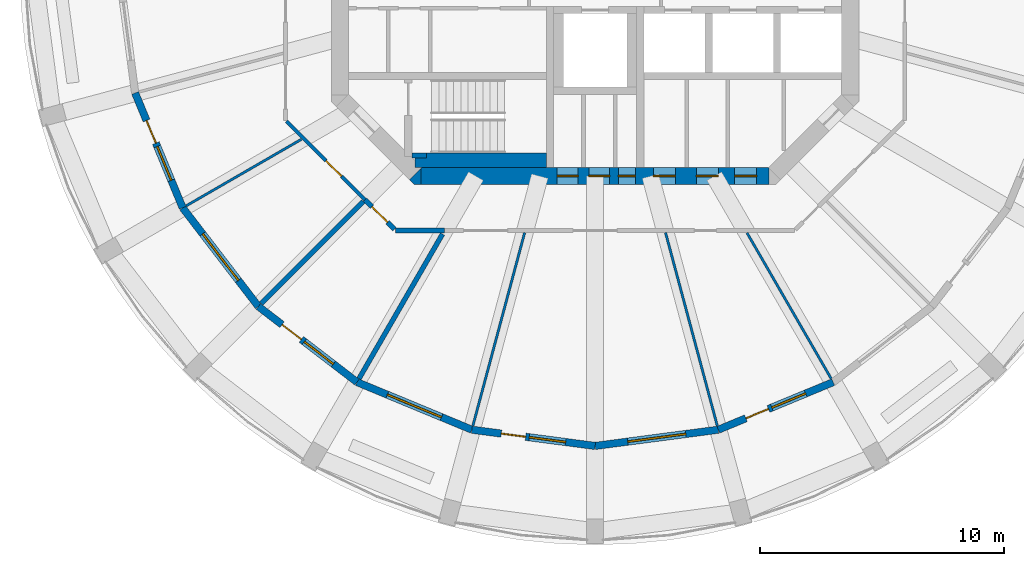
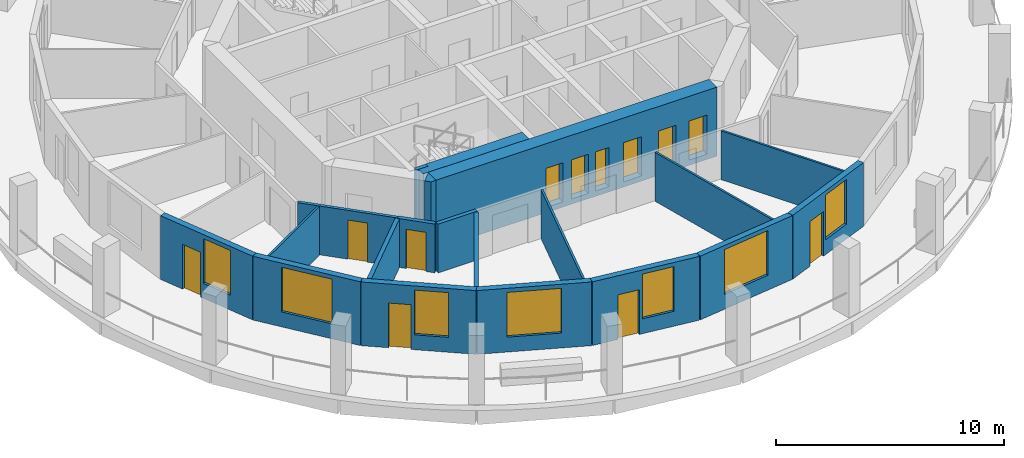
# One storey, part 2 of 9: 20 walls, 12 doors, 7 windows, 19 openings.
"""IFC4 building model written with IfcOpenShell, lengths in metres."""

from ifc_helpers import new_model, si_unit, direction, frame, frame_2d, origin, place, context, subcontext, project, spatial, polyline, rectangle, outline, extrude, material, layer, layer_set, type_object, element, fill, save


model = new_model("IFC4")

# Units and contexts
model_context = context("Model", 3, precision=1e-05, world=origin(), true_north=direction((0.0, 1.0)))
body_context = subcontext(model_context, "Body", "Model", "MODEL_VIEW")
ifc_project = project(units=[si_unit("LENGTHUNIT", "METRE"), si_unit("AREAUNIT", "SQUARE_METRE"), si_unit("VOLUMEUNIT", "CUBIC_METRE"), si_unit("PLANEANGLEUNIT", "RADIAN"), si_unit("MASSUNIT", "GRAM", prefix="KILO")], contexts=[model_context])

# Site, building, storey
site_placement = place(None, origin())
site = spatial("IfcSite", under=ifc_project, at=site_placement, CompositionType="ELEMENT")
building_placement = place(site_placement, origin())
building = spatial("IfcBuilding", under=site, at=building_placement, Name="Torre Triforio", CompositionType="ELEMENT")
storey_placement = place(building_placement, frame((0.0, 0.0, 211.300048828125)))
storey = spatial("IfcBuildingStorey", under=building, at=storey_placement, Name="L48", CompositionType="ELEMENT", Elevation=211.300048828125)

# Wall, openings, doors
ifc_material_1 = material(Name="Concrete C50", Category="concrete")
ifc_layer_1 = layer(ifc_material_1, 0.699951171875)
ifc_layer_set_1 = layer_set([ifc_layer_1], Name="Concrete C50")
wall_type_1 = type_object("IfcWallType", Name="Core wall 700 mm C50 EI 120", PredefinedType="SHEAR", material=ifc_layer_set_1)
wall_1_placement = place(storey_placement, frame((-7.1298828125, -8.449951171875, -0.280029296875), z_axis=(0.0, 0.0, 1.0), x_axis=(1.0, 0.0, 0.0)))
wall_1 = element("IfcWall", 1, at=wall_1_placement, inside=storey, type_object=wall_type_1, Name="Core wall", PredefinedType="SHEAR", context=body_context, shape_type="SweptSolid", body=[
    extrude(rectangle(XDim=14.259765625, YDim=0.699951171875, at=frame_2d((7.1298828125, 0.0))), origin(), (0.0, 0.0, 1.0), 3.699951171875),
])
opening_1_placement = place(wall_1_placement, frame((8.080078125, 0.0, 0.280029296875)))
opening_1 = element("IfcOpeningElement", 2, at=opening_1_placement, cuts=wall_1, Name="Opening RISER-S", PredefinedType="OPENING", context=body_context, shape_type="SweptSolid", body=[
    extrude(rectangle(XDim=0.699951171875, YDim=2.10009765625, at=frame_2d((0.35009765625, 1.050048828125))), frame((0.0, 0.35986328125, 0.0), z_axis=(0.0, -1.0, 0.0), x_axis=(1.0, 0.0, 0.0)), (0.0, 0.0, 1.0), 0.719970703125),
])
opening_2_placement = place(wall_1_placement, frame((5.580078125, 0.0, 0.280029296875)))
opening_2 = element("IfcOpeningElement", 3, at=opening_2_placement, cuts=wall_1, Name="Opening SW-01A", PredefinedType="OPENING", context=body_context, shape_type="SweptSolid", body=[
    extrude(rectangle(XDim=0.85009765625, YDim=2.10009765625, at=frame_2d((0.425048828125, 1.050048828125))), frame((0.0, 0.35986328125, 0.0), z_axis=(0.0, -1.0, 0.0), x_axis=(1.0, 0.0, 0.0)), (0.0, 0.0, 1.0), 0.719970703125),
])
opening_3_placement = place(wall_1_placement, frame((6.8798828125, 0.0, 0.280029296875)))
opening_3 = element("IfcOpeningElement", 4, at=opening_3_placement, cuts=wall_1, Name="Opening SW-02", PredefinedType="OPENING", context=body_context, shape_type="SweptSolid", body=[
    extrude(rectangle(XDim=0.85009765625, YDim=2.10009765625, at=frame_2d((0.425048828125, 1.050048828125))), frame((0.0, 0.35986328125, 0.0), z_axis=(0.0, -1.0, 0.0), x_axis=(1.0, 0.0, 0.0)), (0.0, 0.0, 1.0), 0.719970703125),
])
opening_4_placement = place(wall_1_placement, frame((9.521484375, 0.0, 0.280029296875)))
opening_4 = element("IfcOpeningElement", 5, at=opening_4_placement, cuts=wall_1, Name="Opening SE-01", PredefinedType="OPENING", context=body_context, shape_type="SweptSolid", body=[
    extrude(rectangle(XDim=0.89990234375, YDim=2.10009765625, at=frame_2d((0.449951171875, 1.050048828125))), frame((0.0, 0.35986328125, 0.0), z_axis=(0.0, -1.0, 0.0), x_axis=(1.0, 0.0, 0.0)), (0.0, 0.0, 1.0), 0.719970703125),
])
opening_5_placement = place(wall_1_placement, frame((11.278076171875, 0.0, 0.280029296875)))
opening_5 = element("IfcOpeningElement", 6, at=opening_5_placement, cuts=wall_1, Name="Opening SE-02", PredefinedType="OPENING", context=body_context, shape_type="SweptSolid", body=[
    extrude(rectangle(XDim=0.89990234375, YDim=2.10009765625, at=frame_2d((0.449951171875, 1.050048828125))), frame((0.0, 0.35986328125, 0.0), z_axis=(0.0, -1.0, 0.0), x_axis=(1.0, 0.0, 0.0)), (0.0, 0.0, 1.0), 0.719970703125),
])
opening_6_placement = place(wall_1_placement, frame((12.840087890625, 0.0, 0.280029296875)))
opening_6 = element("IfcOpeningElement", 7, at=opening_6_placement, cuts=wall_1, Name="Opening SE-03", PredefinedType="OPENING", context=body_context, shape_type="SweptSolid", body=[
    extrude(rectangle(XDim=0.89990234375, YDim=2.10009765625, at=frame_2d((0.449951171875, 1.050048828125))), frame((0.0, 0.35986328125, 0.0), z_axis=(0.0, -1.0, 0.0), x_axis=(1.0, 0.0, 0.0)), (0.0, 0.0, 1.0), 0.719970703125),
])
ifc_material_2 = material(Name="Hollow metal fire door leaf")
door_type_1 = type_object("IfcDoorType", Name="Plant room door 900 x 2100 EI 60", OperationType="NOTDEFINED", PredefinedType="DOOR", material=ifc_material_2)
door_1_placement = place(opening_4_placement, origin())
door_1 = element("IfcDoor", 8, at=door_1_placement, inside=storey, type_object=door_type_1, Name="Core door SE-01", OperationType="SINGLE_SWING_LEFT", OverallHeight=2.10009765625, OverallWidth=0.89990234375, PredefinedType="DOOR", context=body_context, shape_type="SweptSolid", body=[
    extrude(rectangle(XDim=0.89990234375, YDim=2.10009765625, at=frame_2d((0.449951171875, 1.050048828125))), frame((0.0, 0.02490234375, 0.0), z_axis=(0.0, -1.0, 0.0), x_axis=(1.0, 0.0, 0.0)), (0.0, 0.0, 1.0), 0.050048828125),
])
fill(opening_4, door_1)
door_type_2 = type_object("IfcDoorType", Name="Riser door 700 x 2100 EI 60", OperationType="NOTDEFINED", PredefinedType="DOOR", material=ifc_material_2)
door_2_placement = place(opening_1_placement, origin())
door_2 = element("IfcDoor", 9, at=door_2_placement, inside=storey, type_object=door_type_2, Name="Core door RISER-S", OperationType="SINGLE_SWING_RIGHT", OverallHeight=2.10009765625, OverallWidth=0.699951171875, PredefinedType="DOOR", context=body_context, shape_type="SweptSolid", body=[
    extrude(rectangle(XDim=0.699951171875, YDim=2.10009765625, at=frame_2d((0.35009765625, 1.050048828125))), frame((0.0, 0.02490234375, 0.0), z_axis=(0.0, -1.0, 0.0), x_axis=(1.0, 0.0, 0.0)), (0.0, 0.0, 1.0), 0.050048828125),
])
fill(opening_1, door_2)
door_type_3 = type_object("IfcDoorType", Name="Room door 850 x 2100 EI 60", OperationType="NOTDEFINED", PredefinedType="DOOR", material=ifc_material_2)
door_3_placement = place(opening_2_placement, origin())
door_3 = element("IfcDoor", 10, at=door_3_placement, inside=storey, type_object=door_type_3, Name="Core door SW-01", OperationType="SINGLE_SWING_RIGHT", OverallHeight=2.10009765625, OverallWidth=0.85009765625, PredefinedType="DOOR", context=body_context, shape_type="SweptSolid", body=[
    extrude(rectangle(XDim=0.85009765625, YDim=2.10009765625, at=frame_2d((0.425048828125, 1.050048828125))), frame((0.0, 0.02490234375, 0.0), z_axis=(0.0, -1.0, 0.0), x_axis=(1.0, 0.0, 0.0)), (0.0, 0.0, 1.0), 0.050048828125),
])
fill(opening_2, door_3)
door_4_placement = place(opening_3_placement, origin())
door_4 = element("IfcDoor", 11, at=door_4_placement, inside=storey, type_object=door_type_3, Name="Core door SW-02", OperationType="SINGLE_SWING_LEFT", OverallHeight=2.10009765625, OverallWidth=0.85009765625, PredefinedType="DOOR", context=body_context, shape_type="SweptSolid", body=[
    extrude(rectangle(XDim=0.85009765625, YDim=2.10009765625, at=frame_2d((0.425048828125, 1.050048828125))), frame((0.0, 0.02490234375, 0.0), z_axis=(0.0, -1.0, 0.0), x_axis=(1.0, 0.0, 0.0)), (0.0, 0.0, 1.0), 0.050048828125),
])
fill(opening_3, door_4)
door_type_4 = type_object("IfcDoorType", Name="Room door 900 x 2100 EI 60", OperationType="NOTDEFINED", PredefinedType="DOOR", material=ifc_material_2)
door_5_placement = place(opening_5_placement, origin())
door_5 = element("IfcDoor", 12, at=door_5_placement, inside=storey, type_object=door_type_4, Name="Core door SE-02", OperationType="SINGLE_SWING_LEFT", OverallHeight=2.10009765625, OverallWidth=0.89990234375, PredefinedType="DOOR", context=body_context, shape_type="SweptSolid", body=[
    extrude(rectangle(XDim=0.89990234375, YDim=2.10009765625, at=frame_2d((0.449951171875, 1.050048828125))), frame((0.0, 0.02490234375, 0.0), z_axis=(0.0, -1.0, 0.0), x_axis=(1.0, 0.0, 0.0)), (0.0, 0.0, 1.0), 0.050048828125),
])
fill(opening_5, door_5)
door_6_placement = place(opening_6_placement, origin())
door_6 = element("IfcDoor", 13, at=door_6_placement, inside=storey, type_object=door_type_4, Name="Core door SE-03", OperationType="SINGLE_SWING_LEFT", OverallHeight=2.10009765625, OverallWidth=0.89990234375, PredefinedType="DOOR", context=body_context, shape_type="SweptSolid", body=[
    extrude(rectangle(XDim=0.89990234375, YDim=2.10009765625, at=frame_2d((0.449951171875, 1.050048828125))), frame((0.0, 0.02490234375, 0.0), z_axis=(0.0, -1.0, 0.0), x_axis=(1.0, 0.0, 0.0)), (0.0, 0.0, 1.0), 0.050048828125),
])
fill(opening_6, door_6)

# Wall
wall_2_placement = place(storey_placement, frame((0.0, 0.0, -0.280029296875)))
element("IfcWall", 14, at=wall_2_placement, inside=storey, type_object=wall_type_1, Name="Core wall", PredefinedType="SHEAR", context=body_context, shape_type="SweptSolid", body=[
    extrude(outline(polyline([(-7.389892578125, -8.800048828125), (-7.594970703125, -8.594970703125), (-7.594970703125, -8.594970703125), (-7.594970703125, -8.594970703125), (-7.1298828125, -8.1298828125), (-7.1298828125, -8.800048828125), (-7.1298828125, -8.800048828125), (-7.389892578125, -8.800048828125)])), origin(), (0.0, 0.0, 1.0), 3.699951171875),
])

# Wall, opening, door
ifc_material_3 = material(Name="Plasterboard on metal studs")
ifc_layer_2 = layer(ifc_material_3, 0.14990234375)
ifc_layer_set_2 = layer_set([ifc_layer_2], Name="Plasterboard on metal studs")
wall_type_2 = type_object("IfcWallType", Name="Corridor and tenancy wall 150 mm EI 60", PredefinedType="PARTITIONING", material=ifc_layer_set_2)
wall_3_placement = place(storey_placement, frame((-9.4208984375, -9.4208984375, 0.0), z_axis=(0.0, 0.0, 1.0), x_axis=(-0.707079950597, 0.707133610758, 0.0)))
wall_3 = element("IfcWall", 15, at=wall_3_placement, inside=storey, type_object=wall_type_2, Name="Partition 5", PredefinedType="PARTITIONING", context=body_context, shape_type="SweptSolid", body=[
    extrude(rectangle(XDim=4.5498046875, YDim=0.14990234375, at=frame_2d((2.27490234375, 0.0))), origin(), (0.0, 0.0, 1.0), 2.619873046875),
])
opening_7_placement = place(wall_3_placement, frame((1.36083984375, 0.0, 0.0)))
opening_7 = element("IfcOpeningElement", 16, at=opening_7_placement, cuts=wall_3, Name="Opening O6-15", PredefinedType="OPENING", context=body_context, shape_type="SweptSolid", body=[
    extrude(rectangle(XDim=0.89990234375, YDim=2.10009765625, at=frame_2d((0.449951171875, 1.050048828125))), frame((0.0, 0.0849609375, 0.0), z_axis=(0.0, -1.0, 0.0), x_axis=(1.0, 0.0, 0.0)), (0.0, 0.0, 1.0), 0.169921875),
])
ifc_material_4 = material(Name="Timber", Category="wood")
door_type_5 = type_object("IfcDoorType", Name="Door 900 x 2100 single leaf EI 30", OperationType="NOTDEFINED", PredefinedType="DOOR", material=ifc_material_4)
door_7_placement = place(opening_7_placement, origin())
door_7 = element("IfcDoor", 17, at=door_7_placement, inside=storey, type_object=door_type_5, Name="Door O6-15", OperationType="SINGLE_SWING_LEFT", OverallHeight=2.10009765625, OverallWidth=0.89990234375, PredefinedType="DOOR", context=body_context, shape_type="SweptSolid", body=[
    extrude(rectangle(XDim=0.89990234375, YDim=2.10009765625, at=frame_2d((0.449951171875, 1.050048828125))), frame((0.0, 0.02490234375, 0.0), z_axis=(0.0, -1.0, 0.0), x_axis=(1.0, 0.0, 0.0)), (0.0, 0.0, 1.0), 0.050048828125),
])
fill(opening_7, door_7)

# Walls
ifc_layer_3 = layer(ifc_material_3, 0.10009765625)
ifc_layer_set_3 = layer_set([ifc_layer_3], Name="Plasterboard on metal studs")
wall_type_3 = type_object("IfcWallType", Name="Partition 100 mm board on metal studs", PredefinedType="PARTITIONING", material=ifc_layer_set_3)
wall_4_placement = place(storey_placement, frame((-12.025146484375, -6.94287109375, 0.0), z_axis=(0.0, 0.0, 1.0), x_axis=(-0.866029712004, -0.499992537871, 0.0)))
element("IfcWall", 18, at=wall_4_placement, inside=storey, type_object=wall_type_3, Name="Partition 20", PredefinedType="PARTITIONING", context=body_context, shape_type="SweptSolid", body=[
    extrude(rectangle(XDim=5.451171875, YDim=0.10009765625, at=frame_2d((2.7255859375, 0.0))), origin(), (0.0, 0.0, 1.0), 2.619873046875),
])
for number, where, z_axis, x_axis, name in (
    (19, (-2.88427734375, -10.764404296875, 0.0), (0.0, 0.0, 1.0), (-0.258818011497, -0.965926103242, 0.0), "Partition 23"),
    (20, (2.88427734375, -10.764404296875, 0.0), (0.0, 0.0, 1.0), (0.258818011497, -0.965926103242, 0.0), "Partition 24"),
):
    element("IfcWall", number, at=place(storey_placement, frame(where, z_axis=z_axis, x_axis=x_axis)), inside=storey, type_object=wall_type_3, Name=name, PredefinedType="PARTITIONING", context=body_context, shape_type="SweptSolid", body=[
        extrude(rectangle(XDim=8.1923828125, YDim=0.10009765625, at=frame_2d((4.09619140625, 0.0))), origin(), (0.0, 0.0, 1.0), 2.619873046875),
    ])
wall_5_placement = place(storey_placement, frame((6.220703125, -10.774658203125, 0.0), z_axis=(0.0, 0.0, 1.0), x_axis=(0.500015661236, -0.866016361577, 0.0)))
element("IfcWall", 21, at=wall_5_placement, inside=storey, type_object=wall_type_3, Name="Partition 25", PredefinedType="PARTITIONING", context=body_context, shape_type="SweptSolid", body=[
    extrude(rectangle(XDim=6.895263671875, YDim=0.10009765625, at=frame_2d((3.44775390625, 0.0))), origin(), (0.0, 0.0, 1.0), 2.619873046875),
])
ifc_material_5 = material(Name="Masonry block", Category="masonry")
ifc_layer_4 = layer(ifc_material_5, 0.199951171875)
ifc_layer_set_4 = layer_set([ifc_layer_4], Name="Masonry block")
wall_type_4 = type_object("IfcWallType", Name="Plant room wall 200 mm block EI 120", PredefinedType="PARTITIONING", material=ifc_layer_set_4)
wall_6_placement = place(storey_placement, frame((-6.1630859375, -10.675048828125, 0.0), z_axis=(0.0, 0.0, 1.0), x_axis=(-1.0, 0.0, 0.0)))
element("IfcWall", 22, at=wall_6_placement, inside=storey, type_object=wall_type_4, Name="Partition 3", PredefinedType="PARTITIONING", context=body_context, shape_type="SweptSolid", body=[
    extrude(rectangle(XDim=2.00341796875, YDim=0.199951171875, at=frame_2d((1.001708984375, 0.0))), origin(), (0.0, 0.0, 1.0), 2.619873046875),
])

# Wall, opening, door
wall_7_placement = place(storey_placement, frame((-8.216064453125, -10.62548828125, 0.0), z_axis=(0.0, 0.0, 1.0), x_axis=(-0.70717842684, 0.707035128273, 0.0)))
wall_7 = element("IfcWall", 23, at=wall_7_placement, inside=storey, type_object=wall_type_4, Name="Partition 4", PredefinedType="PARTITIONING", context=body_context, shape_type="SweptSolid", body=[
    extrude(rectangle(XDim=1.70361328125, YDim=0.199951171875, at=frame_2d((0.851806640625, 0.0))), origin(), (0.0, 0.0, 1.0), 2.619873046875),
])
opening_8_placement = place(wall_7_placement, frame((0.40185546875, 0.0, 0.0)))
opening_8 = element("IfcOpeningElement", 24, at=opening_8_placement, cuts=wall_7, Name="Opening O6-16", PredefinedType="OPENING", context=body_context, shape_type="SweptSolid", body=[
    extrude(rectangle(XDim=0.89990234375, YDim=2.10009765625, at=frame_2d((0.449951171875, 1.050048828125))), frame((0.0, 0.10986328125, 0.0), z_axis=(0.0, -1.0, 0.0), x_axis=(1.0, 0.0, 0.0)), (0.0, 0.0, 1.0), 0.219970703125),
])
door_type_6 = type_object("IfcDoorType", Name="Door 900 x 2100 single leaf EI 60", OperationType="NOTDEFINED", PredefinedType="DOOR", material=ifc_material_2)
door_8_placement = place(opening_8_placement, origin())
door_8 = element("IfcDoor", 25, at=door_8_placement, inside=storey, type_object=door_type_6, Name="Door O6-16", OperationType="SINGLE_SWING_LEFT", OverallHeight=2.10009765625, OverallWidth=0.89990234375, PredefinedType="DOOR", context=body_context, shape_type="SweptSolid", body=[
    extrude(rectangle(XDim=0.89990234375, YDim=2.10009765625, at=frame_2d((0.449951171875, 1.050048828125))), frame((0.0, 0.02490234375, 0.0), z_axis=(0.0, -1.0, 0.0), x_axis=(1.0, 0.0, 0.0)), (0.0, 0.0, 1.0), 0.050048828125),
])
fill(opening_8, door_8)

# Walls
wall_8_placement = place(storey_placement, frame((-9.491455078125, -9.491455078125, 0.0), z_axis=(0.0, 0.0, 1.0), x_axis=(-0.707106781187, -0.707106781187, 0.0)))
element("IfcWall", 26, at=wall_8_placement, inside=storey, type_object=wall_type_4, Name="Partition 21", PredefinedType="PARTITIONING", context=body_context, shape_type="SweptSolid", body=[
    extrude(rectangle(XDim=5.913818359375, YDim=0.199951171875, at=frame_2d((2.95703125, 0.0))), origin(), (0.0, 0.0, 1.0), 2.619873046875),
])
wall_9_placement = place(storey_placement, frame((-6.24951171875, -10.824462890625, 0.0), z_axis=(0.0, 0.0, 1.0), x_axis=(-0.500009887181, -0.866019695343, 0.0)))
element("IfcWall", 27, at=wall_9_placement, inside=storey, type_object=wall_type_4, Name="Partition 22", PredefinedType="PARTITIONING", context=body_context, shape_type="SweptSolid", body=[
    extrude(rectangle(XDim=6.837646484375, YDim=0.199951171875, at=frame_2d((3.4189453125, 0.0))), origin(), (0.0, 0.0, 1.0), 2.619873046875),
])
ifc_layer_5 = layer(ifc_material_1, 0.199951171875)
ifc_layer_set_5 = layer_set([ifc_layer_5], Name="Concrete C50")
wall_type_5 = type_object("IfcWallType", Name="Stair wall 200 mm C50 EI 120", PredefinedType="SHEAR", material=ifc_layer_set_5)
wall_10_placement = place(storey_placement, frame((-7.5, -7.60009765625, 0.0), z_axis=(0.0, 0.0, 1.0), x_axis=(1.0, 0.0, 0.0)))
element("IfcWall", 28, at=wall_10_placement, inside=storey, type_object=wall_type_5, Name="Stair wall", PredefinedType="SHEAR", context=body_context, shape_type="SweptSolid", body=[
    extrude(rectangle(XDim=0.60009765625, YDim=0.199951171875, at=frame_2d((0.300048828125, 0.0))), origin(), (0.0, 0.0, 1.0), 3.419921875),
])
ifc_layer_6 = layer(ifc_material_1, 0.60009765625)
ifc_layer_set_6 = layer_set([ifc_layer_6], Name="Concrete C50")
wall_type_6 = type_object("IfcWallType", Name="Stair wall 600 mm C50 EI 120", PredefinedType="SHEAR", material=ifc_layer_set_6)
wall_11_placement = place(storey_placement, frame((-7.3701171875, -7.800048828125, 0.0), z_axis=(0.0, 0.0, 1.0), x_axis=(1.0, 0.0, 0.0)))
element("IfcWall", 29, at=wall_11_placement, inside=storey, type_object=wall_type_6, Name="Stair wall", PredefinedType="SHEAR", context=body_context, shape_type="SweptSolid", body=[
    extrude(rectangle(XDim=5.3701171875, YDim=0.60009765625, at=frame_2d((2.68505859375, 0.0))), origin(), (0.0, 0.0, 1.0), 3.419921875),
])

# Wall, openings, door, window
ifc_material_6 = material(Name="Limestone cladding", Category="masonry")
ifc_layer_7 = layer(ifc_material_6, 0.10009765625)
ifc_material_7 = material(Name="Concrete C40", Category="concrete")
ifc_layer_8 = layer(ifc_material_7, 0.199951171875)
ifc_layer_set_7 = layer_set([ifc_layer_7, ifc_layer_8], Name="Limestone cladding / Concrete C40")
wall_type_7 = type_object("IfcWallType", Name="Stone-faced composite wall 300", PredefinedType="STANDARD", material=ifc_layer_set_7)
wall_12_placement = place(storey_placement, frame((-18.835693359375, -5.047119140625, 0.0), z_axis=(0.0, 0.0, 1.0), x_axis=(0.382724538613, -0.923862504675, 0.0)))
wall_12 = element("IfcWall", 30, at=wall_12_placement, inside=storey, type_object=wall_type_7, Name="External wall L48 bay 14", PredefinedType="STANDARD", context=body_context, shape_type="SweptSolid", body=[
    extrude(rectangle(XDim=5.090576171875, YDim=0.300048828125, at=frame_2d((2.54541015625, 0.0))), origin(), (0.0, 0.0, 1.0), 3.419921875),
])
opening_9_placement = place(wall_12_placement, frame((1.22021484375, 0.0, 0.0)))
opening_9 = element("IfcOpeningElement", 31, at=opening_9_placement, cuts=wall_12, Name="Opening O6-D14", PredefinedType="OPENING", context=body_context, shape_type="SweptSolid", body=[
    extrude(rectangle(XDim=1.0, YDim=2.39990234375, at=frame_2d((0.5, 1.199951171875))), frame((0.0, 0.159912109375, 0.0), z_axis=(0.0, -1.0, 0.0), x_axis=(1.0, 0.0, 0.0)), (0.0, 0.0, 1.0), 0.320068359375),
])
opening_10_placement = place(wall_12_placement, frame((2.370361328125, 0.0, 0.800048828125)))
opening_10 = element("IfcOpeningElement", 32, at=opening_10_placement, cuts=wall_12, Name="Opening O6-W14A", PredefinedType="OPENING", context=body_context, shape_type="SweptSolid", body=[
    extrude(rectangle(XDim=1.5, YDim=2.39990234375, at=frame_2d((0.75, 1.199951171875))), frame((0.0, 0.159912109375, 0.0), z_axis=(0.0, -1.0, 0.0), x_axis=(1.0, 0.0, 0.0)), (0.0, 0.0, 1.0), 0.320068359375),
])
ifc_material_8 = material(Name="Aluminium frame with clear double glazing", Category="aluminium")
door_type_7 = type_object("IfcDoorType", Name="Loggia door 1000 x 2400", OperationType="NOTDEFINED", PredefinedType="DOOR", material=ifc_material_8)
door_9_placement = place(opening_9_placement, origin())
door_9 = element("IfcDoor", 33, at=door_9_placement, inside=storey, type_object=door_type_7, Name="Loggia door L48 bay 14", OperationType="SINGLE_SWING_LEFT", OverallHeight=2.39990234375, OverallWidth=1.0, PredefinedType="DOOR", context=body_context, shape_type="SweptSolid", body=[
    extrude(rectangle(XDim=1.0, YDim=2.39990234375, at=frame_2d((0.5, 1.199951171875))), frame((0.0, 0.02490234375, 0.0), z_axis=(0.0, -1.0, 0.0), x_axis=(1.0, 0.0, 0.0)), (0.0, 0.0, 1.0), 0.050048828125),
])
fill(opening_9, door_9)
window_type_1 = type_object("IfcWindowType", Name="Side window 1500 x 2400", PartitioningType="SINGLE_PANEL", PredefinedType="WINDOW", material=ifc_material_8)
window_1_placement = place(opening_10_placement, origin())
window_1 = element("IfcWindow", 34, at=window_1_placement, inside=storey, type_object=window_type_1, Name="Side window EWN14 L48 bay 14", OverallHeight=2.39990234375, OverallWidth=1.5, PartitioningType="SINGLE_PANEL", PredefinedType="WINDOW", context=body_context, shape_type="SweptSolid", body=[
    extrude(rectangle(XDim=1.5, YDim=2.39990234375, at=frame_2d((0.75, 1.199951171875))), frame((0.0, 0.030029296875, 0.0), z_axis=(0.0, -1.0, 0.0), x_axis=(1.0, 0.0, 0.0)), (0.0, 0.0, 1.0), 0.06005859375),
])
fill(opening_10, window_1)

# Wall, opening, window
wall_13_placement = place(storey_placement, frame((-16.887451171875, -9.75, 0.0), z_axis=(0.0, 0.0, 1.0), x_axis=(0.608757714995, -0.79335619014, 0.0)))
wall_13 = element("IfcWall", 35, at=wall_13_placement, inside=storey, type_object=wall_type_7, Name="External wall L48 bay 15", PredefinedType="STANDARD", context=body_context, shape_type="SweptSolid", body=[
    extrude(rectangle(XDim=5.090576171875, YDim=0.300048828125, at=frame_2d((2.54541015625, 0.0))), origin(), (0.0, 0.0, 1.0), 3.419921875),
])
opening_11_placement = place(wall_13_placement, frame((1.34521484375, 0.0, 0.800048828125)))
opening_11 = element("IfcOpeningElement", 36, at=opening_11_placement, cuts=wall_13, Name="Opening O6-W15", PredefinedType="OPENING", context=body_context, shape_type="SweptSolid", body=[
    extrude(rectangle(XDim=2.39990234375, YDim=2.39990234375, at=frame_2d((1.199951171875, 1.199951171875))), frame((0.0, 0.159912109375, 0.0), z_axis=(0.0, -1.0, 0.0), x_axis=(1.0, 0.0, 0.0)), (0.0, 0.0, 1.0), 0.320068359375),
])
window_type_2 = type_object("IfcWindowType", Name="Punched window 2400 x 2400", PartitioningType="DOUBLE_PANEL_VERTICAL", PredefinedType="WINDOW", material=ifc_material_8)
window_2_placement = place(opening_11_placement, origin())
window_2 = element("IfcWindow", 37, at=window_2_placement, inside=storey, type_object=window_type_2, Name="Window EWN4 L48 bay 15", OverallHeight=2.39990234375, OverallWidth=2.39990234375, PartitioningType="SINGLE_PANEL", PredefinedType="WINDOW", context=body_context, shape_type="SweptSolid", body=[
    extrude(rectangle(XDim=2.39990234375, YDim=2.39990234375, at=frame_2d((1.199951171875, 1.199951171875))), frame((0.0, 0.030029296875, 0.0), z_axis=(0.0, -1.0, 0.0), x_axis=(1.0, 0.0, 0.0)), (0.0, 0.0, 1.0), 0.06005859375),
])
fill(opening_11, window_2)

# Wall, openings, door, window
wall_14_placement = place(storey_placement, frame((-13.78857421875, -13.78857421875, 0.0), z_axis=(0.0, 0.0, 1.0), x_axis=(0.79335619014, -0.608757714995, 0.0)))
wall_14 = element("IfcWall", 38, at=wall_14_placement, inside=storey, type_object=wall_type_7, Name="External wall L48 bay 16", PredefinedType="STANDARD", context=body_context, shape_type="SweptSolid", body=[
    extrude(rectangle(XDim=5.090576171875, YDim=0.300048828125, at=frame_2d((2.54541015625, 0.0))), origin(), (0.0, 0.0, 1.0), 3.419921875),
])
opening_12_placement = place(wall_14_placement, frame((1.22021484375, 0.0, 0.0)))
opening_12 = element("IfcOpeningElement", 39, at=opening_12_placement, cuts=wall_14, Name="Opening O6-D16", PredefinedType="OPENING", context=body_context, shape_type="SweptSolid", body=[
    extrude(rectangle(XDim=1.0, YDim=2.39990234375, at=frame_2d((0.5, 1.199951171875))), frame((0.0, 0.159912109375, 0.0), z_axis=(0.0, -1.0, 0.0), x_axis=(1.0, 0.0, 0.0)), (0.0, 0.0, 1.0), 0.320068359375),
])
opening_13_placement = place(wall_14_placement, frame((2.370361328125, 0.0, 0.800048828125)))
opening_13 = element("IfcOpeningElement", 40, at=opening_13_placement, cuts=wall_14, Name="Opening O6-W16A", PredefinedType="OPENING", context=body_context, shape_type="SweptSolid", body=[
    extrude(rectangle(XDim=1.5, YDim=2.39990234375, at=frame_2d((0.75, 1.199951171875))), frame((0.0, 0.159912109375, 0.0), z_axis=(0.0, -1.0, 0.0), x_axis=(1.0, 0.0, 0.0)), (0.0, 0.0, 1.0), 0.320068359375),
])
door_10_placement = place(opening_12_placement, origin())
door_10 = element("IfcDoor", 41, at=door_10_placement, inside=storey, type_object=door_type_7, Name="Loggia door L48 bay 16", OperationType="SINGLE_SWING_LEFT", OverallHeight=2.39990234375, OverallWidth=1.0, PredefinedType="DOOR", context=body_context, shape_type="SweptSolid", body=[
    extrude(rectangle(XDim=1.0, YDim=2.39990234375, at=frame_2d((0.5, 1.199951171875))), frame((0.0, 0.02490234375, 0.0), z_axis=(0.0, -1.0, 0.0), x_axis=(1.0, 0.0, 0.0)), (0.0, 0.0, 1.0), 0.050048828125),
])
fill(opening_12, door_10)
window_3_placement = place(opening_13_placement, origin())
window_3 = element("IfcWindow", 42, at=window_3_placement, inside=storey, type_object=window_type_1, Name="Side window EWN14 L48 bay 16", OverallHeight=2.39990234375, OverallWidth=1.5, PartitioningType="SINGLE_PANEL", PredefinedType="WINDOW", context=body_context, shape_type="SweptSolid", body=[
    extrude(rectangle(XDim=1.5, YDim=2.39990234375, at=frame_2d((0.75, 1.199951171875))), frame((0.0, 0.030029296875, 0.0), z_axis=(0.0, -1.0, 0.0), x_axis=(1.0, 0.0, 0.0)), (0.0, 0.0, 1.0), 0.06005859375),
])
fill(opening_13, window_3)

# Wall, opening, window
wall_15_placement = place(storey_placement, frame((-9.75, -16.887451171875, 0.0), z_axis=(0.0, 0.0, 1.0), x_axis=(0.923862504675, -0.382724538613, 0.0)))
wall_15 = element("IfcWall", 43, at=wall_15_placement, inside=storey, type_object=wall_type_7, Name="External wall L48 bay 17", PredefinedType="STANDARD", context=body_context, shape_type="SweptSolid", body=[
    extrude(rectangle(XDim=5.090576171875, YDim=0.300048828125, at=frame_2d((2.54541015625, 0.0))), origin(), (0.0, 0.0, 1.0), 3.419921875),
])
opening_14_placement = place(wall_15_placement, frame((1.34521484375, 0.0, 0.800048828125)))
opening_14 = element("IfcOpeningElement", 44, at=opening_14_placement, cuts=wall_15, Name="Opening O6-W17", PredefinedType="OPENING", context=body_context, shape_type="SweptSolid", body=[
    extrude(rectangle(XDim=2.39990234375, YDim=2.39990234375, at=frame_2d((1.199951171875, 1.199951171875))), frame((0.0, 0.159912109375, 0.0), z_axis=(0.0, -1.0, 0.0), x_axis=(1.0, 0.0, 0.0)), (0.0, 0.0, 1.0), 0.320068359375),
])
window_4_placement = place(opening_14_placement, origin())
window_4 = element("IfcWindow", 45, at=window_4_placement, inside=storey, type_object=window_type_2, Name="Window EWN4 L48 bay 17", OverallHeight=2.39990234375, OverallWidth=2.39990234375, PartitioningType="SINGLE_PANEL", PredefinedType="WINDOW", context=body_context, shape_type="SweptSolid", body=[
    extrude(rectangle(XDim=2.39990234375, YDim=2.39990234375, at=frame_2d((1.199951171875, 1.199951171875))), frame((0.0, 0.030029296875, 0.0), z_axis=(0.0, -1.0, 0.0), x_axis=(1.0, 0.0, 0.0)), (0.0, 0.0, 1.0), 0.06005859375),
])
fill(opening_14, window_4)

# Wall, openings, door, window
wall_16_placement = place(storey_placement, frame((-5.047119140625, -18.835693359375, 0.0), z_axis=(0.0, 0.0, 1.0), x_axis=(0.99144890792, -0.130495451964, 0.0)))
wall_16 = element("IfcWall", 46, at=wall_16_placement, inside=storey, type_object=wall_type_7, Name="External wall L48 bay 18", PredefinedType="STANDARD", context=body_context, shape_type="SweptSolid", body=[
    extrude(rectangle(XDim=5.090576171875, YDim=0.300048828125, at=frame_2d((2.54541015625, 0.0))), origin(), (0.0, 0.0, 1.0), 3.419921875),
])
opening_15_placement = place(wall_16_placement, frame((1.22021484375, 0.0, 0.0)))
opening_15 = element("IfcOpeningElement", 47, at=opening_15_placement, cuts=wall_16, Name="Opening O6-D18", PredefinedType="OPENING", context=body_context, shape_type="SweptSolid", body=[
    extrude(rectangle(XDim=1.0, YDim=2.39990234375, at=frame_2d((0.5, 1.199951171875))), frame((0.0, 0.159912109375, 0.0), z_axis=(0.0, -1.0, 0.0), x_axis=(1.0, 0.0, 0.0)), (0.0, 0.0, 1.0), 0.320068359375),
])
opening_16_placement = place(wall_16_placement, frame((2.370361328125, 0.0, 0.800048828125)))
opening_16 = element("IfcOpeningElement", 48, at=opening_16_placement, cuts=wall_16, Name="Opening O6-W18A", PredefinedType="OPENING", context=body_context, shape_type="SweptSolid", body=[
    extrude(rectangle(XDim=1.5, YDim=2.39990234375, at=frame_2d((0.75, 1.199951171875))), frame((0.0, 0.159912109375, 0.0), z_axis=(0.0, -1.0, 0.0), x_axis=(1.0, 0.0, 0.0)), (0.0, 0.0, 1.0), 0.320068359375),
])
door_11_placement = place(opening_15_placement, origin())
door_11 = element("IfcDoor", 49, at=door_11_placement, inside=storey, type_object=door_type_7, Name="Loggia door L48 bay 18", OperationType="SINGLE_SWING_LEFT", OverallHeight=2.39990234375, OverallWidth=1.0, PredefinedType="DOOR", context=body_context, shape_type="SweptSolid", body=[
    extrude(rectangle(XDim=1.0, YDim=2.39990234375, at=frame_2d((0.5, 1.199951171875))), frame((0.0, 0.02490234375, 0.0), z_axis=(0.0, -1.0, 0.0), x_axis=(1.0, 0.0, 0.0)), (0.0, 0.0, 1.0), 0.050048828125),
])
fill(opening_15, door_11)
window_5_placement = place(opening_16_placement, origin())
window_5 = element("IfcWindow", 50, at=window_5_placement, inside=storey, type_object=window_type_1, Name="Side window EWN14 L48 bay 18", OverallHeight=2.39990234375, OverallWidth=1.5, PartitioningType="SINGLE_PANEL", PredefinedType="WINDOW", context=body_context, shape_type="SweptSolid", body=[
    extrude(rectangle(XDim=1.5, YDim=2.39990234375, at=frame_2d((0.75, 1.199951171875))), frame((0.0, 0.030029296875, 0.0), z_axis=(0.0, -1.0, 0.0), x_axis=(1.0, 0.0, 0.0)), (0.0, 0.0, 1.0), 0.06005859375),
])
fill(opening_16, window_5)

# Wall, opening, window
wall_17_placement = place(storey_placement, frame((0.0, -19.5, 0.0), z_axis=(0.0, 0.0, 1.0), x_axis=(0.99144890792, 0.130495451964, 0.0)))
wall_17 = element("IfcWall", 51, at=wall_17_placement, inside=storey, type_object=wall_type_7, Name="External wall L48 bay 19", PredefinedType="STANDARD", context=body_context, shape_type="SweptSolid", body=[
    extrude(rectangle(XDim=5.090576171875, YDim=0.300048828125, at=frame_2d((2.54541015625, 0.0))), origin(), (0.0, 0.0, 1.0), 3.419921875),
])
opening_17_placement = place(wall_17_placement, frame((1.34521484375, 0.0, 0.800048828125)))
opening_17 = element("IfcOpeningElement", 52, at=opening_17_placement, cuts=wall_17, Name="Opening O6-W19", PredefinedType="OPENING", context=body_context, shape_type="SweptSolid", body=[
    extrude(rectangle(XDim=2.39990234375, YDim=2.39990234375, at=frame_2d((1.199951171875, 1.199951171875))), frame((0.0, 0.159912109375, 0.0), z_axis=(0.0, -1.0, 0.0), x_axis=(1.0, 0.0, 0.0)), (0.0, 0.0, 1.0), 0.320068359375),
])
window_6_placement = place(opening_17_placement, origin())
window_6 = element("IfcWindow", 53, at=window_6_placement, inside=storey, type_object=window_type_2, Name="Window EWN4 L48 bay 19", OverallHeight=2.39990234375, OverallWidth=2.39990234375, PartitioningType="SINGLE_PANEL", PredefinedType="WINDOW", context=body_context, shape_type="SweptSolid", body=[
    extrude(rectangle(XDim=2.39990234375, YDim=2.39990234375, at=frame_2d((1.199951171875, 1.199951171875))), frame((0.0, 0.030029296875, 0.0), z_axis=(0.0, -1.0, 0.0), x_axis=(1.0, 0.0, 0.0)), (0.0, 0.0, 1.0), 0.06005859375),
])
fill(opening_17, window_6)

# Wall, openings, door, window
wall_18_placement = place(storey_placement, frame((5.047119140625, -18.835693359375, 0.0), z_axis=(0.0, 0.0, 1.0), x_axis=(0.923862504675, 0.382724538613, 0.0)))
wall_18 = element("IfcWall", 54, at=wall_18_placement, inside=storey, type_object=wall_type_7, Name="External wall L48 bay 20", PredefinedType="STANDARD", context=body_context, shape_type="SweptSolid", body=[
    extrude(rectangle(XDim=5.090576171875, YDim=0.300048828125, at=frame_2d((2.54541015625, 0.0))), origin(), (0.0, 0.0, 1.0), 3.419921875),
])
opening_18_placement = place(wall_18_placement, frame((1.22021484375, 0.0, 0.0)))
opening_18 = element("IfcOpeningElement", 55, at=opening_18_placement, cuts=wall_18, Name="Opening O6-D20", PredefinedType="OPENING", context=body_context, shape_type="SweptSolid", body=[
    extrude(rectangle(XDim=1.0, YDim=2.39990234375, at=frame_2d((0.5, 1.199951171875))), frame((0.0, 0.159912109375, 0.0), z_axis=(0.0, -1.0, 0.0), x_axis=(1.0, 0.0, 0.0)), (0.0, 0.0, 1.0), 0.320068359375),
])
opening_19_placement = place(wall_18_placement, frame((2.370361328125, 0.0, 0.800048828125)))
opening_19 = element("IfcOpeningElement", 56, at=opening_19_placement, cuts=wall_18, Name="Opening O6-W20A", PredefinedType="OPENING", context=body_context, shape_type="SweptSolid", body=[
    extrude(rectangle(XDim=1.5, YDim=2.39990234375, at=frame_2d((0.75, 1.199951171875))), frame((0.0, 0.159912109375, 0.0), z_axis=(0.0, -1.0, 0.0), x_axis=(1.0, 0.0, 0.0)), (0.0, 0.0, 1.0), 0.320068359375),
])
door_12_placement = place(opening_18_placement, origin())
door_12 = element("IfcDoor", 57, at=door_12_placement, inside=storey, type_object=door_type_7, Name="Loggia door L48 bay 20", OperationType="SINGLE_SWING_LEFT", OverallHeight=2.39990234375, OverallWidth=1.0, PredefinedType="DOOR", context=body_context, shape_type="SweptSolid", body=[
    extrude(rectangle(XDim=1.0, YDim=2.39990234375, at=frame_2d((0.5, 1.199951171875))), frame((0.0, 0.02490234375, 0.0), z_axis=(0.0, -1.0, 0.0), x_axis=(1.0, 0.0, 0.0)), (0.0, 0.0, 1.0), 0.050048828125),
])
fill(opening_18, door_12)
window_7_placement = place(opening_19_placement, origin())
window_7 = element("IfcWindow", 58, at=window_7_placement, inside=storey, type_object=window_type_1, Name="Side window EWN14 L48 bay 20", OverallHeight=2.39990234375, OverallWidth=1.5, PartitioningType="SINGLE_PANEL", PredefinedType="WINDOW", context=body_context, shape_type="SweptSolid", body=[
    extrude(rectangle(XDim=1.5, YDim=2.39990234375, at=frame_2d((0.75, 1.199951171875))), frame((0.0, 0.030029296875, 0.0), z_axis=(0.0, -1.0, 0.0), x_axis=(1.0, 0.0, 0.0)), (0.0, 0.0, 1.0), 0.06005859375),
])
fill(opening_19, window_7)

save(model, "model.ifc")
